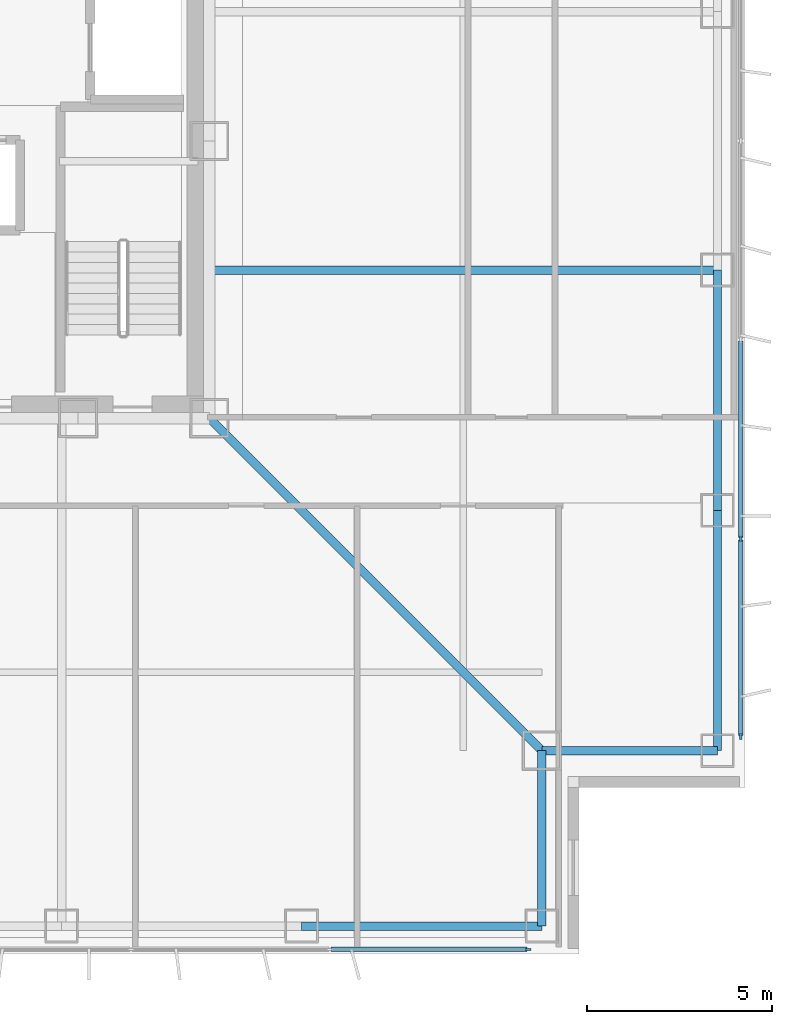
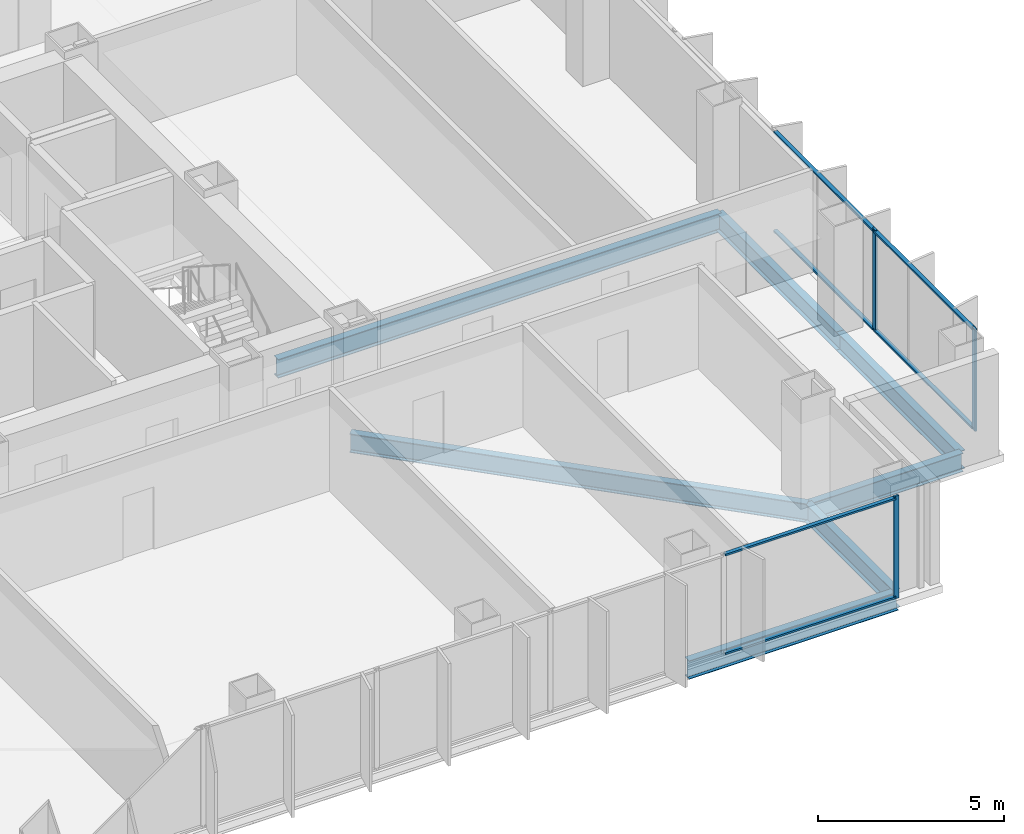
# One storey, part 7 of 17: 9 members, 7 beams, 2 elements without a shape of their own.
"""IFC4 building model written with IfcOpenShell, lengths in metres."""

from ifc_helpers import new_model, si_unit, direction, frame, origin, origin_2d, place, context, subcontext, project, spatial, rectangle, i_section, extrude, material, layer, layer_set, material_profile, profile_set, type_object, element, aggregate, save


model = new_model("IFC4")

# Units and contexts
model_context = context("Model", 3, precision=1e-05, world=origin(), true_north=direction((0.0, 1.0)))
body_context = subcontext(model_context, "Body", "Model", "MODEL_VIEW")
ifc_project = project(units=[si_unit("LENGTHUNIT", "METRE"), si_unit("AREAUNIT", "SQUARE_METRE"), si_unit("VOLUMEUNIT", "CUBIC_METRE"), si_unit("PLANEANGLEUNIT", "RADIAN"), si_unit("MASSUNIT", "GRAM", prefix="KILO")], contexts=[model_context])

# Site, building, storey
site_placement = place(None, origin())
site = spatial("IfcSite", under=ifc_project, at=site_placement, CompositionType="ELEMENT")
building_placement = place(site_placement, origin())
building = spatial("IfcBuilding", under=site, at=building_placement, Name="Trevonay Congress Spire", CompositionType="ELEMENT")
storey_placement = place(building_placement, frame((0.0, 0.0, 126.39990234375)))
storey = spatial("IfcBuildingStorey", under=building, at=storey_placement, Name="L32", CompositionType="ELEMENT", Elevation=126.39990234375)

# Beams
ifc_material_1 = material(Name="Steel ASTM A572 Grade 50", Category="steel")
ifc_material_profile_1 = material_profile(ifc_material_1, i_section(OverallWidth=0.22998046875, OverallDepth=0.616943359375, WebThickness=0.01318359375, FlangeThickness=0.022216796875, FilletRadius=0.01611328125, at=origin_2d()), Name="W610x140")
ifc_profile_set_1 = profile_set([ifc_material_profile_1], Name="Steel ASTM A572 Grade 50")
beam_type_1 = type_object("IfcBeamType", Name="BM-GIRD-W610X140", PredefinedType="BEAM", material=ifc_profile_set_1)
beam_1_placement = place(storey_placement, frame((7.5, -7.5, -0.54833984375), z_axis=(0.707106781187, -0.707106781187, 0.0), x_axis=(0.707106781187, 0.707106781187, 0.0)))
element("IfcBeam", 1, at=beam_1_placement, inside=storey, type_object=beam_type_1, Name="L32 structural beam BM-L32-CDSE", PredefinedType="BEAM", context=body_context, shape_type="SweptSolid", body=[
    extrude(i_section(OverallWidth=0.22998046875, OverallDepth=0.616943359375, WebThickness=0.01318359375, FlangeThickness=0.022216796875, FilletRadius=0.01611328125, at=origin_2d()), origin(), (0.0, 0.0, 1.0), 12.72802734375),
])
beam_2_placement = place(storey_placement, frame((7.5, -3.5, -0.54833984375), z_axis=(1.0, 0.0, 0.0), x_axis=(0.0, 1.0, 0.0)))
element("IfcBeam", 2, at=beam_2_placement, inside=storey, type_object=beam_type_1, Name="L32 structural beam BM-L32-GE-M", PredefinedType="BEAM", context=body_context, shape_type="SweptSolid", body=[
    extrude(i_section(OverallWidth=0.22998046875, OverallDepth=0.616943359375, WebThickness=0.01318359375, FlangeThickness=0.022216796875, FilletRadius=0.01611328125, at=origin_2d()), origin(), (0.0, 0.0, 1.0), 13.75),
])
ifc_material_profile_2 = material_profile(ifc_material_1, i_section(OverallWidth=0.22802734375, OverallDepth=0.60791015625, WebThickness=0.01123046875, FlangeThickness=0.017333984375, FilletRadius=0.01611328125, at=origin_2d()), Name="W610x113")
ifc_profile_set_2 = profile_set([ifc_material_profile_2], Name="Steel ASTM A572 Grade 50")
beam_type_2 = type_object("IfcBeamType", Name="BM-RING-W610X113", PredefinedType="BEAM", material=ifc_profile_set_2)
for number, where, z_axis, x_axis, name in (
    (3, (21.25, -16.5, -0.5439453125), (0.0, 1.0, 0.0), (-1.0, 0.0, 0.0), "L32 structural beam BM-L32-PE1"),
    (4, (21.25, -10.0, -0.5439453125), (0.0, 1.0, 0.0), (-1.0, 0.0, 0.0), "L32 structural beam BM-L32-PE2"),
    (5, (10.0, -21.25, -0.5439453125), (1.0, 0.0, 0.0), (0.0, 1.0, 0.0), "L32 structural beam BM-L32-PS5"),
):
    element("IfcBeam", number, at=place(storey_placement, frame(where, z_axis=z_axis, x_axis=x_axis)), inside=storey, type_object=beam_type_2, Name=name, PredefinedType="BEAM", context=body_context, shape_type="SweptSolid", body=[
        extrude(i_section(OverallWidth=0.22802734375, OverallDepth=0.60791015625, WebThickness=0.01123046875, FlangeThickness=0.017333984375, FilletRadius=0.01611328125, at=origin_2d()), origin(), (0.0, 0.0, 1.0), 6.5),
    ])
for number, where, z_axis, x_axis, name in (
    (6, (16.5, -21.25, -0.5439453125), (0.0, 1.0, 0.0), (-1.0, 0.0, 0.0), "L32 structural beam BM-L32-N1SE"),
    (7, (21.25, -16.5, -0.5439453125), (-1.0, 0.0, 0.0), (0.0, -1.0, 0.0), "L32 structural beam BM-L32-N2SE"),
):
    element("IfcBeam", number, at=place(storey_placement, frame(where, z_axis=z_axis, x_axis=x_axis)), inside=storey, type_object=beam_type_2, Name=name, PredefinedType="BEAM", context=body_context, shape_type="SweptSolid", body=[
        extrude(i_section(OverallWidth=0.22802734375, OverallDepth=0.60791015625, WebThickness=0.01123046875, FlangeThickness=0.017333984375, FilletRadius=0.01611328125, at=origin_2d()), origin(), (0.0, 0.0, 1.0), 4.75),
    ])

# Curtain wall, member
ifc_material_2 = material(Name="Pale Anodised Aluminium EN AW-6063-T6", Category="aluminium")
ifc_layer = layer(ifc_material_2, 0.175048828125, Name="Pale Anodised Aluminium EN AW-6063-T6")
ifc_layer_set = layer_set([ifc_layer], Name="Pale Anodised Aluminium EN AW-6063-T6")
curtain_wall_type = type_object("IfcCurtainWallType", Name="CW-SYS03-CONGRESS-PALE-METAL", PredefinedType="NOTDEFINED", material=ifc_layer_set)
curtain_wall_1_placement = place(storey_placement, origin())
curtain_wall_1 = element("IfcCurtainWall", 8, at=curtain_wall_1_placement, inside=storey, type_object=curtain_wall_type, Name="L32 S unitised curtain wall", PredefinedType="NOTDEFINED")
ifc_material_profile_3 = material_profile(ifc_material_2, rectangle(XDim=0.06005859375, YDim=0.159912109375, at=origin_2d()), Name="CW-MULLION-160-ALUMINIUM")
ifc_profile_set_3 = profile_set([ifc_material_profile_3], Name="Pale Anodised Aluminium EN AW-6063-T6")
member_type_1 = type_object("IfcMemberType", Name="CW-MULLION-160-ALUMINIUM", PredefinedType="MULLION", material=ifc_profile_set_3)
member_1_placement = place(storey_placement, frame((16.1201171875, -21.8798828125, 0.0), z_axis=(0.0, 0.0, 1.0), x_axis=(0.0, 1.0, 0.0)))
member_1 = element("IfcMember", 9, at=member_1_placement, type_object=member_type_1, Name="CW03 mullion 7", PredefinedType="MULLION", context=body_context, shape_type="SweptSolid", body=[
    extrude(rectangle(XDim=0.06005859375, YDim=0.159912109375, at=origin_2d()), origin(), (0.0, 0.0, 1.0), 3.360107421875),
])

# Curtain wall, members
curtain_wall_2_placement = place(storey_placement, origin())
curtain_wall_2 = element("IfcCurtainWall", 10, at=curtain_wall_2_placement, inside=storey, type_object=curtain_wall_type, Name="L32 E unitised curtain wall", PredefinedType="NOTDEFINED")
member_2_placement = place(storey_placement, frame((21.8798828125, -16.1201171875, 0.0), z_axis=(0.0, 0.0, 1.0), x_axis=(-1.0, 0.0, 0.0)))
member_2 = element("IfcMember", 11, at=member_2_placement, type_object=member_type_1, Name="CW03 mullion 1", PredefinedType="MULLION", context=body_context, shape_type="SweptSolid", body=[
    extrude(rectangle(XDim=0.06005859375, YDim=0.159912109375, at=origin_2d()), origin(), (0.0, 0.0, 1.0), 3.360107421875),
])
member_3_placement = place(storey_placement, frame((21.8798828125, -10.7666015625, 0.0), z_axis=(0.0, 0.0, 1.0), x_axis=(-1.0, 0.0, 0.0)))
member_3 = element("IfcMember", 12, at=member_3_placement, type_object=member_type_1, Name="CW03 mullion 2", PredefinedType="MULLION", context=body_context, shape_type="SweptSolid", body=[
    extrude(rectangle(XDim=0.06005859375, YDim=0.159912109375, at=origin_2d()), origin(), (0.0, 0.0, 1.0), 3.360107421875),
])

# Member
ifc_material_profile_4 = material_profile(ifc_material_2, rectangle(XDim=0.1201171875, YDim=0.06005859375, at=origin_2d()), Name="CW-TRANSOM-120-ALUMINIUM")
ifc_profile_set_4 = profile_set([ifc_material_profile_4], Name="Pale Anodised Aluminium EN AW-6063-T6")
member_type_2 = type_object("IfcMemberType", Name="CW-TRANSOM-120-ALUMINIUM", PredefinedType="USERDEFINED", material=ifc_profile_set_4)
member_4_placement = place(storey_placement, frame((10.796630859375, -21.8798828125, 0.06005859375), z_axis=(1.0, 0.0, 0.0), x_axis=(0.0, 1.0, 0.0)))
member_4 = element("IfcMember", 13, at=member_4_placement, type_object=member_type_2, Name="CW03 transom 6.1", ObjectType="TRANSOM", PredefinedType="USERDEFINED", context=body_context, shape_type="SweptSolid", body=[
    extrude(rectangle(XDim=0.1201171875, YDim=0.06005859375, at=origin_2d()), origin(), (0.0, 0.0, 1.0), 5.29345703125),
])

member_5_placement = place(storey_placement, frame((10.796630859375, -21.8798828125, 3.300048828125), z_axis=(1.0, 0.0, 0.0), x_axis=(0.0, 1.0, 0.0)))
member_5 = element("IfcMember", 14, at=member_5_placement, type_object=member_type_2, Name="CW03 transom 6.2", ObjectType="TRANSOM", PredefinedType="USERDEFINED", context=body_context, shape_type="SweptSolid", body=[
    extrude(rectangle(XDim=0.1201171875, YDim=0.06005859375, at=origin_2d()), origin(), (0.0, 0.0, 1.0), 5.29345703125),
])

aggregate(curtain_wall_1, [member_1, member_4, member_5])

member_6_placement = place(storey_placement, frame((21.8798828125, -16.090087890625, 0.06005859375), z_axis=(0.0, 1.0, 0.0), x_axis=(-1.0, 0.0, 0.0)))
member_6 = element("IfcMember", 15, at=member_6_placement, type_object=member_type_2, Name="CW03 transom 1.1", ObjectType="TRANSOM", PredefinedType="USERDEFINED", context=body_context, shape_type="SweptSolid", body=[
    extrude(rectangle(XDim=0.1201171875, YDim=0.06005859375, at=origin_2d()), origin(), (0.0, 0.0, 1.0), 5.29345703125),
])

member_7_placement = place(storey_placement, frame((21.8798828125, -16.090087890625, 3.300048828125), z_axis=(0.0, 1.0, 0.0), x_axis=(-1.0, 0.0, 0.0)))
member_7 = element("IfcMember", 16, at=member_7_placement, type_object=member_type_2, Name="CW03 transom 1.2", ObjectType="TRANSOM", PredefinedType="USERDEFINED", context=body_context, shape_type="SweptSolid", body=[
    extrude(rectangle(XDim=0.1201171875, YDim=0.06005859375, at=origin_2d()), origin(), (0.0, 0.0, 1.0), 5.29345703125),
])

member_8_placement = place(storey_placement, frame((21.8798828125, -10.736572265625, 0.06005859375), z_axis=(0.0, 1.0, 0.0), x_axis=(-1.0, 0.0, 0.0)))
member_8 = element("IfcMember", 17, at=member_8_placement, type_object=member_type_2, Name="CW03 transom 2.1", ObjectType="TRANSOM", PredefinedType="USERDEFINED", context=body_context, shape_type="SweptSolid", body=[
    extrude(rectangle(XDim=0.1201171875, YDim=0.06005859375, at=origin_2d()), origin(), (0.0, 0.0, 1.0), 5.3232421875),
])

member_9_placement = place(storey_placement, frame((21.8798828125, -10.736572265625, 3.300048828125), z_axis=(0.0, 1.0, 0.0), x_axis=(-1.0, 0.0, 0.0)))
member_9 = element("IfcMember", 18, at=member_9_placement, type_object=member_type_2, Name="CW03 transom 2.2", ObjectType="TRANSOM", PredefinedType="USERDEFINED", context=body_context, shape_type="SweptSolid", body=[
    extrude(rectangle(XDim=0.1201171875, YDim=0.06005859375, at=origin_2d()), origin(), (0.0, 0.0, 1.0), 5.3232421875),
])

aggregate(curtain_wall_2, [member_2, member_3, member_6, member_7, member_8, member_9])

save(model, "model.ifc")
